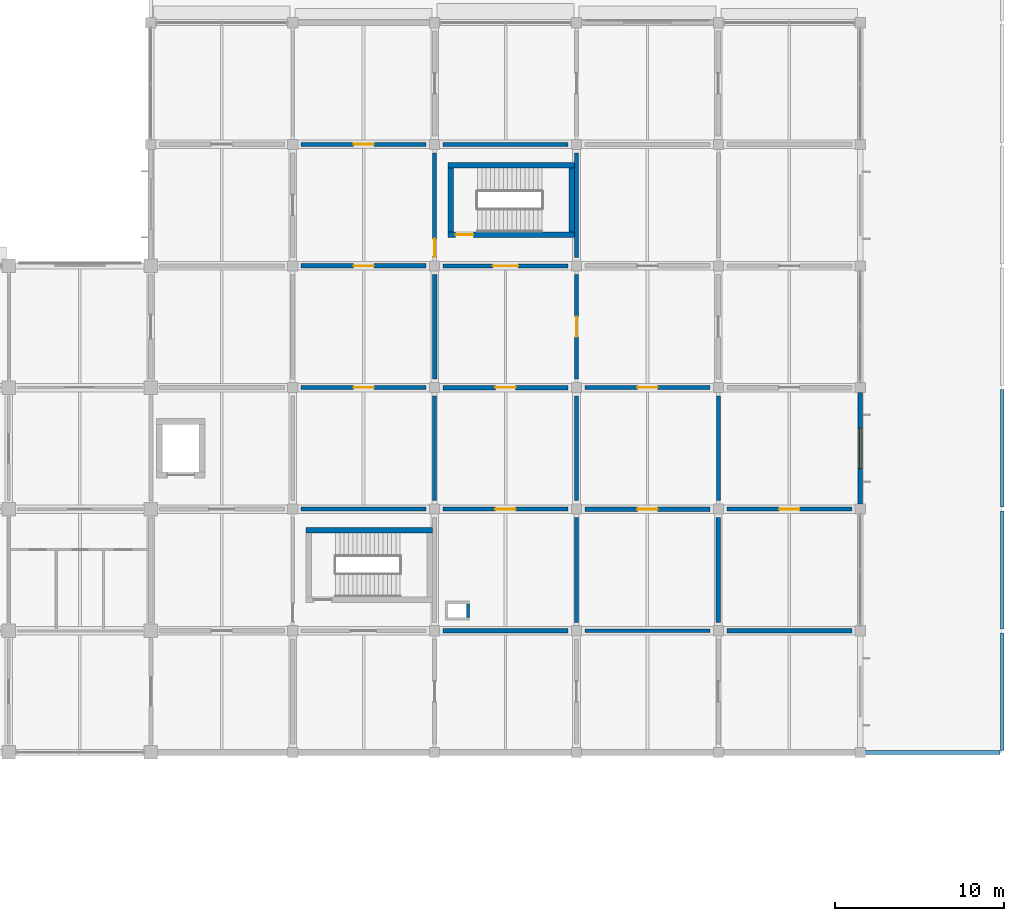
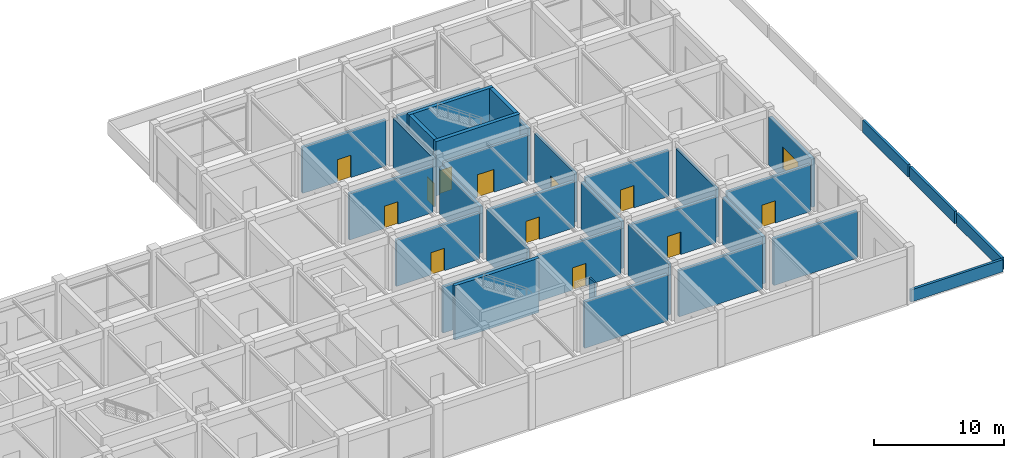
# One storey, part 29 of 38: 34 walls, 12 doors, 1 window, 13 openings.
"""IFC4 building model written with IfcOpenShell, lengths in metres."""

from ifc_helpers import new_model, si_unit, derived_unit, direction, frame, frame_2d, origin, place, context, subcontext, project, spatial, rectangle, extrude, material, layer, layer_set, type_object, element, fill, save


model = new_model("IFC4")

# Units and contexts
model_context = context("Model", 3, precision=1e-05, world=origin(), true_north=direction((0.0, 1.0)))
body_context = subcontext(model_context, "Body", "Model", "MODEL_VIEW")
ifc_project = project(units=[si_unit("LENGTHUNIT", "METRE"), si_unit("AREAUNIT", "SQUARE_METRE"), si_unit("VOLUMEUNIT", "CUBIC_METRE"), si_unit("PLANEANGLEUNIT", "RADIAN"), si_unit("MASSUNIT", "GRAM", prefix="KILO"), derived_unit("THERMALTRANSMITTANCEUNIT", [(si_unit("MASSUNIT", "GRAM", prefix="KILO"), 1), (si_unit("TIMEUNIT", "SECOND"), -3), (si_unit("THERMODYNAMICTEMPERATUREUNIT", "KELVIN"), -1)])], contexts=[model_context])

# Site, building, storey
site_placement = place(None, origin())
site = spatial("IfcSite", under=ifc_project, at=site_placement, CompositionType="ELEMENT")
building_placement = place(site_placement, origin())
building = spatial("IfcBuilding", under=site, at=building_placement, Name="Veldstrom Oceanarium and Marine Research Institute", CompositionType="ELEMENT")
storey_placement = place(building_placement, frame((0.0, 0.0, 11.39990234375)))
storey = spatial("IfcBuildingStorey", under=building, at=storey_placement, Name="L02", CompositionType="ELEMENT", Elevation=11.39990234375)

# Wall, opening, window
ifc_material_1 = material(Name="Masonry Cavity Wall", Category="masonry")
ifc_layer_1 = layer(ifc_material_1, 0.2900390625)
ifc_layer_set_1 = layer_set([ifc_layer_1], Name="ARC-WAL-EW2")
wall_type_1 = type_object("IfcWallType", Name="ARC-WAL-EW2", PredefinedType="SOLIDWALL", material=ifc_layer_set_1)
wall_1_placement = place(storey_placement, frame((159.60009765625, 57.89990234375, 0.0), z_axis=(0.0, 0.0, 1.0), x_axis=(0.0, 1.0, 0.0)))
wall_1 = element("IfcWall", 1, at=wall_1_placement, inside=storey, type_object=wall_type_1, Name="Exterior Facade Wall EW2 L02-147", PredefinedType="SOLIDWALL", context=body_context, shape_type="SweptSolid", body=[
    extrude(rectangle(XDim=6.60009765625, YDim=0.2900390625, at=frame_2d((3.300048828125, 0.0))), origin(), (0.0, 0.0, 1.0), 4.52001953125),
])
opening_1_placement = place(wall_1_placement, frame((2.10009765625, 0.0, 0.89990234375)))
opening_1 = element("IfcOpeningElement", 2, at=opening_1_placement, cuts=wall_1, Name="Opening W09", PredefinedType="OPENING", context=body_context, shape_type="SweptSolid", body=[
    extrude(rectangle(XDim=2.39990234375, YDim=2.10009765625, at=frame_2d((1.199951171875, 1.050048828125))), frame((0.0, 0.155029296875, 0.0), z_axis=(0.0, -1.0, 0.0), x_axis=(1.0, 0.0, 0.0)), (0.0, 0.0, 1.0), 0.31005859375),
])
ifc_material_2 = material(Name="Double Glazed Low-E IGU", Category="glass")
window_type = type_object("IfcWindowType", Name="ARC-WIN-W09", PartitioningType="SINGLE_PANEL", PredefinedType="WINDOW", material=ifc_material_2)
window_placement = place(opening_1_placement, origin())
window = element("IfcWindow", 3, at=window_placement, inside=storey, type_object=window_type, Name="Facade Window W09 L02-0107", OverallHeight=2.10009765625, OverallWidth=2.39990234375, PartitioningType="SINGLE_PANEL", PredefinedType="WINDOW", context=body_context, shape_type="SweptSolid", body=[
    extrude(rectangle(XDim=2.39990234375, YDim=2.10009765625, at=frame_2d((1.199951171875, 1.050048828125))), frame((0.0, 0.030029296875, 0.0), z_axis=(0.0, -1.0, 0.0), x_axis=(1.0, 0.0, 0.0)), (0.0, 0.0, 1.0), 0.06005859375),
])
fill(opening_1, window)

# Walls
ifc_material_3 = material(Name="Masonry Cavity Wall", Category="masonry")
ifc_layer_2 = layer(ifc_material_3, 0.219970703125)
ifc_layer_set_2 = layer_set([ifc_layer_2], Name="ARC-WAL-PR1")
wall_type_2 = type_object("IfcWallType", Name="ARC-WAL-PR1", PredefinedType="PARAPET", material=ifc_layer_set_2)
wall_2_placement = place(storey_placement, frame((159.719970703125, 43.199951171875, 0.0), z_axis=(0.0, 0.0, 1.0), x_axis=(1.0, 0.0, 0.0)))
element("IfcWall", 4, at=wall_2_placement, inside=storey, type_object=wall_type_2, Name="Roof Parapet Wall L01-038", PredefinedType="PARAPET", context=body_context, shape_type="SweptSolid", body=[
    extrude(rectangle(XDim=8.159912109375, YDim=0.219970703125, at=frame_2d((4.080078125, 0.0))), origin(), (0.0, 0.0, 1.0), 1.150146484375),
])
for number, where, z_axis, x_axis, name in (
    (5, (168.0, 43.320068359375, 0.0), (0.0, 0.0, 1.0), (0.0, 1.0, 0.0), "Roof Parapet Wall L01-039"),
    (6, (168.0, 50.52001953125, 0.0), (0.0, 0.0, 1.0), (0.0, 1.0, 0.0), "Roof Parapet Wall L01-040"),
    (7, (168.0, 57.719970703125, 0.0), (0.0, 0.0, 1.0), (0.0, 1.0, 0.0), "Roof Parapet Wall L01-041"),
):
    element("IfcWall", number, at=place(storey_placement, frame(where, z_axis=z_axis, x_axis=x_axis)), inside=storey, type_object=wall_type_2, Name=name, PredefinedType="PARAPET", context=body_context, shape_type="SweptSolid", body=[
        extrude(rectangle(XDim=6.9599609375, YDim=0.219970703125, at=frame_2d((3.47998046875, 0.0))), origin(), (0.0, 0.0, 1.0), 1.150146484375),
    ])
ifc_material_4 = material(Name="Masonry Fire Compartment Wall", Category="masonry")
ifc_layer_3 = layer(ifc_material_4, 0.22998046875)
ifc_layer_set_3 = layer_set([ifc_layer_3], Name="ARC-WAL-PT1")
wall_type_3 = type_object("IfcWallType", Name="ARC-WAL-PT1", PredefinedType="PARTITIONING", material=ifc_layer_set_3)
wall_3_placement = place(storey_placement, frame((126.5, 57.60009765625, 0.0), z_axis=(0.0, 0.0, 1.0), x_axis=(1.0, 0.0, 0.0)))
element("IfcWall", 8, at=wall_3_placement, inside=storey, type_object=wall_type_3, Name="Interior Partition PT1 L02-1214", PredefinedType="PARTITIONING", context=body_context, shape_type="SweptSolid", body=[
    extrude(rectangle(XDim=7.39990234375, YDim=0.22998046875, at=frame_2d((3.699951171875, 0.0))), origin(), (0.0, 0.0, 1.0), 4.34521484375),
])
wall_4_placement = place(storey_placement, frame((134.39990234375, 58.10009765625, 0.0), z_axis=(0.0, 0.0, 1.0), x_axis=(0.0, 1.0, 0.0)))
element("IfcWall", 9, at=wall_4_placement, inside=storey, type_object=wall_type_3, Name="Interior Partition PT1 L02-1215", PredefinedType="PARTITIONING", context=body_context, shape_type="SweptSolid", body=[
    extrude(rectangle(XDim=6.199951171875, YDim=0.22998046875, at=frame_2d((3.10009765625, 0.0))), origin(), (0.0, 0.0, 1.0), 4.80517578125),
])

# Wall, opening, door
wall_5_placement = place(storey_placement, frame((126.5, 64.800048828125, 0.0), z_axis=(0.0, 0.0, 1.0), x_axis=(1.0, 0.0, 0.0)))
wall_5 = element("IfcWall", 10, at=wall_5_placement, inside=storey, type_object=wall_type_3, Name="Interior Partition PT1 L02-1216", PredefinedType="PARTITIONING", context=body_context, shape_type="SweptSolid", body=[
    extrude(rectangle(XDim=7.39990234375, YDim=0.22998046875, at=frame_2d((3.699951171875, 0.0))), origin(), (0.0, 0.0, 1.0), 4.34521484375),
])
opening_2_placement = place(wall_5_placement, frame((3.10009765625, 0.0, 0.0)))
opening_2 = element("IfcOpeningElement", 11, at=opening_2_placement, cuts=wall_5, Name="Opening D-L02-709", PredefinedType="OPENING", context=body_context, shape_type="SweptSolid", body=[
    extrude(rectangle(XDim=1.199951171875, YDim=2.10009765625, at=frame_2d((0.60009765625, 1.050048828125))), frame((0.0, 0.125, 0.0), z_axis=(0.0, -1.0, 0.0), x_axis=(1.0, 0.0, 0.0)), (0.0, 0.0, 1.0), 0.25),
])
ifc_material_5 = material(Name="Quarantine Biosecure Door", Category="steel")
door_type_1 = type_object("IfcDoorType", Name="ARC-DOR-ID06", OperationType="SINGLE_SWING_RIGHT", PredefinedType="DOOR", material=ifc_material_5)
door_1_placement = place(opening_2_placement, frame((1.199951171875, 0.0, 0.0), z_axis=(0.0, 0.0, 1.0), x_axis=(-1.0, 0.0, 0.0)))
door_1 = element("IfcDoor", 12, at=door_1_placement, inside=storey, type_object=door_type_1, Name="Interior Door D-L02-709", OperationType="SINGLE_SWING_LEFT", OverallHeight=2.10009765625, OverallWidth=1.199951171875, PredefinedType="DOOR", context=body_context, shape_type="SweptSolid", body=[
    extrude(rectangle(XDim=1.199951171875, YDim=2.10009765625, at=frame_2d((0.60009765625, 1.050048828125))), frame((0.0, 0.02490234375, 0.0), z_axis=(0.0, -1.0, 0.0), x_axis=(1.0, 0.0, 0.0)), (0.0, 0.0, 1.0), 0.050048828125),
])
fill(opening_2, door_1)

wall_6_placement = place(storey_placement, frame((134.39990234375, 72.5, 0.0), z_axis=(0.0, 0.0, 1.0), x_axis=(0.0, 1.0, 0.0)))
wall_6 = element("IfcWall", 13, at=wall_6_placement, inside=storey, type_object=wall_type_3, Name="Interior Partition PT1 L02-1219", PredefinedType="PARTITIONING", context=body_context, shape_type="SweptSolid", body=[
    extrude(rectangle(XDim=6.199951171875, YDim=0.22998046875, at=frame_2d((3.10009765625, 0.0))), origin(), (0.0, 0.0, 1.0), 4.59521484375),
])
opening_3_placement = place(wall_6_placement, frame((0.050048828125, 0.0, 0.0)))
opening_3 = element("IfcOpeningElement", 14, at=opening_3_placement, cuts=wall_6, Name="Opening D-L02-711", PredefinedType="OPENING", context=body_context, shape_type="SweptSolid", body=[
    extrude(rectangle(XDim=1.050048828125, YDim=2.14990234375, at=frame_2d((0.52490234375, 1.074951171875))), frame((0.0, 0.125, 0.0), z_axis=(0.0, -1.0, 0.0), x_axis=(1.0, 0.0, 0.0)), (0.0, 0.0, 1.0), 0.25),
])
ifc_material_6 = material(Name="Painted Steel Fire Door", Category="steel")
door_type_2 = type_object("IfcDoorType", Name="ARC-DOR-SD1", OperationType="SINGLE_SWING_LEFT", PredefinedType="DOOR", material=ifc_material_6)
door_2_placement = place(opening_3_placement, origin())
door_2 = element("IfcDoor", 15, at=door_2_placement, inside=storey, type_object=door_type_2, Name="Interior Door D-L02-711", OperationType="SINGLE_SWING_LEFT", OverallHeight=2.14990234375, OverallWidth=1.050048828125, PredefinedType="DOOR", context=body_context, shape_type="SweptSolid", body=[
    extrude(rectangle(XDim=1.050048828125, YDim=2.14990234375, at=frame_2d((0.52490234375, 1.074951171875))), frame((0.0, 0.02490234375, 0.0), z_axis=(0.0, -1.0, 0.0), x_axis=(1.0, 0.0, 0.0)), (0.0, 0.0, 1.0), 0.050048828125),
])
fill(opening_3, door_2)

wall_7_placement = place(storey_placement, frame((126.5, 79.199951171875, 0.0), z_axis=(0.0, 0.0, 1.0), x_axis=(1.0, 0.0, 0.0)))
wall_7 = element("IfcWall", 16, at=wall_7_placement, inside=storey, type_object=wall_type_3, Name="Interior Partition PT1 L02-1220", PredefinedType="PARTITIONING", context=body_context, shape_type="SweptSolid", body=[
    extrude(rectangle(XDim=7.39990234375, YDim=0.22998046875, at=frame_2d((3.699951171875, 0.0))), origin(), (0.0, 0.0, 1.0), 4.34521484375),
])
opening_4_placement = place(wall_7_placement, frame((3.10009765625, 0.0, 0.0)))
opening_4 = element("IfcOpeningElement", 17, at=opening_4_placement, cuts=wall_7, Name="Opening D-L02-712", PredefinedType="OPENING", context=body_context, shape_type="SweptSolid", body=[
    extrude(rectangle(XDim=1.199951171875, YDim=2.10009765625, at=frame_2d((0.60009765625, 1.050048828125))), frame((0.0, 0.125, 0.0), z_axis=(0.0, -1.0, 0.0), x_axis=(1.0, 0.0, 0.0)), (0.0, 0.0, 1.0), 0.25),
])
door_3_placement = place(opening_4_placement, frame((1.199951171875, 0.0, 0.0), z_axis=(0.0, 0.0, 1.0), x_axis=(-1.0, 0.0, 0.0)))
door_3 = element("IfcDoor", 18, at=door_3_placement, inside=storey, type_object=door_type_1, Name="Interior Door D-L02-712", OperationType="SINGLE_SWING_LEFT", OverallHeight=2.10009765625, OverallWidth=1.199951171875, PredefinedType="DOOR", context=body_context, shape_type="SweptSolid", body=[
    extrude(rectangle(XDim=1.199951171875, YDim=2.10009765625, at=frame_2d((0.60009765625, 1.050048828125))), frame((0.0, 0.02490234375, 0.0), z_axis=(0.0, -1.0, 0.0), x_axis=(1.0, 0.0, 0.0)), (0.0, 0.0, 1.0), 0.050048828125),
])
fill(opening_4, door_3)

# Wall
wall_8_placement = place(storey_placement, frame((142.800048828125, 50.89990234375, 0.0), z_axis=(0.0, 0.0, 1.0), x_axis=(0.0, 1.0, 0.0)))
element("IfcWall", 19, at=wall_8_placement, inside=storey, type_object=wall_type_3, Name="Interior Partition PT1 L02-1224", PredefinedType="PARTITIONING", context=body_context, shape_type="SweptSolid", body=[
    extrude(rectangle(XDim=6.2001953125, YDim=0.22998046875, at=frame_2d((3.10009765625, 0.0))), origin(), (0.0, 0.0, 1.0), 4.80517578125),
])

# Wall, opening, door
wall_9_placement = place(storey_placement, frame((134.89990234375, 57.60009765625, 0.0), z_axis=(0.0, 0.0, 1.0), x_axis=(1.0, 0.0, 0.0)))
wall_9 = element("IfcWall", 20, at=wall_9_placement, inside=storey, type_object=wall_type_3, Name="Interior Partition PT1 L02-1225", PredefinedType="PARTITIONING", context=body_context, shape_type="SweptSolid", body=[
    extrude(rectangle(XDim=7.400146484375, YDim=0.22998046875, at=frame_2d((3.7001953125, 0.0))), origin(), (0.0, 0.0, 1.0), 4.34521484375),
])
opening_5_placement = place(wall_9_placement, frame((3.10009765625, 0.0, 0.0)))
opening_5 = element("IfcOpeningElement", 21, at=opening_5_placement, cuts=wall_9, Name="Opening D-L02-715", PredefinedType="OPENING", context=body_context, shape_type="SweptSolid", body=[
    extrude(rectangle(XDim=1.199951171875, YDim=2.10009765625, at=frame_2d((0.60009765625, 1.050048828125))), frame((0.0, 0.125, 0.0), z_axis=(0.0, -1.0, 0.0), x_axis=(1.0, 0.0, 0.0)), (0.0, 0.0, 1.0), 0.25),
])
door_4_placement = place(opening_5_placement, frame((1.199951171875, 0.0, 0.0), z_axis=(0.0, 0.0, 1.0), x_axis=(-1.0, 0.0, 0.0)))
door_4 = element("IfcDoor", 22, at=door_4_placement, inside=storey, type_object=door_type_1, Name="Interior Door D-L02-715", OperationType="SINGLE_SWING_LEFT", OverallHeight=2.10009765625, OverallWidth=1.199951171875, PredefinedType="DOOR", context=body_context, shape_type="SweptSolid", body=[
    extrude(rectangle(XDim=1.199951171875, YDim=2.10009765625, at=frame_2d((0.60009765625, 1.050048828125))), frame((0.0, 0.02490234375, 0.0), z_axis=(0.0, -1.0, 0.0), x_axis=(1.0, 0.0, 0.0)), (0.0, 0.0, 1.0), 0.050048828125),
])
fill(opening_5, door_4)

wall_10_placement = place(storey_placement, frame((142.800048828125, 65.300048828125, 0.0), z_axis=(0.0, 0.0, 1.0), x_axis=(0.0, 1.0, 0.0)))
wall_10 = element("IfcWall", 23, at=wall_10_placement, inside=storey, type_object=wall_type_3, Name="Interior Partition PT1 L02-1228", PredefinedType="PARTITIONING", context=body_context, shape_type="SweptSolid", body=[
    extrude(rectangle(XDim=6.199951171875, YDim=0.22998046875, at=frame_2d((3.10009765625, 0.0))), origin(), (0.0, 0.0, 1.0), 4.59521484375),
])
opening_6_placement = place(wall_10_placement, frame((2.5, 0.0, 0.0)))
opening_6 = element("IfcOpeningElement", 24, at=opening_6_placement, cuts=wall_10, Name="Opening D-L02-717", PredefinedType="OPENING", context=body_context, shape_type="SweptSolid", body=[
    extrude(rectangle(XDim=1.199951171875, YDim=2.10009765625, at=frame_2d((0.60009765625, 1.050048828125))), frame((0.0, 0.125, 0.0), z_axis=(0.0, -1.0, 0.0), x_axis=(1.0, 0.0, 0.0)), (0.0, 0.0, 1.0), 0.25),
])
door_5_placement = place(opening_6_placement, origin())
door_5 = element("IfcDoor", 25, at=door_5_placement, inside=storey, type_object=door_type_1, Name="Interior Door D-L02-717", OperationType="SINGLE_SWING_RIGHT", OverallHeight=2.10009765625, OverallWidth=1.199951171875, PredefinedType="DOOR", context=body_context, shape_type="SweptSolid", body=[
    extrude(rectangle(XDim=1.199951171875, YDim=2.10009765625, at=frame_2d((0.60009765625, 1.050048828125))), frame((0.0, 0.02490234375, 0.0), z_axis=(0.0, -1.0, 0.0), x_axis=(1.0, 0.0, 0.0)), (0.0, 0.0, 1.0), 0.050048828125),
])
fill(opening_6, door_5)

wall_11_placement = place(storey_placement, frame((134.89990234375, 72.0, 0.0), z_axis=(0.0, 0.0, 1.0), x_axis=(1.0, 0.0, 0.0)))
wall_11 = element("IfcWall", 26, at=wall_11_placement, inside=storey, type_object=wall_type_3, Name="Interior Partition PT1 L02-1229", PredefinedType="PARTITIONING", context=body_context, shape_type="SweptSolid", body=[
    extrude(rectangle(XDim=7.400146484375, YDim=0.22998046875, at=frame_2d((3.7001953125, 0.0))), origin(), (0.0, 0.0, 1.0), 4.34521484375),
])
opening_7_placement = place(wall_11_placement, frame((2.949951171875, 0.0, 0.0)))
opening_7 = element("IfcOpeningElement", 27, at=opening_7_placement, cuts=wall_11, Name="Opening D-L02-718", PredefinedType="OPENING", context=body_context, shape_type="SweptSolid", body=[
    extrude(rectangle(XDim=1.5, YDim=2.14990234375, at=frame_2d((0.75, 1.074951171875))), frame((0.0, 0.125, 0.0), z_axis=(0.0, -1.0, 0.0), x_axis=(1.0, 0.0, 0.0)), (0.0, 0.0, 1.0), 0.25),
])
ifc_material_7 = material(Name="Painted Steel Lobby Fire Door", Category="steel")
door_type_3 = type_object("IfcDoorType", Name="ARC-DOR-SD2", OperationType="DOUBLE_DOOR_SINGLE_SWING", PredefinedType="DOOR", material=ifc_material_7)
door_6_placement = place(opening_7_placement, frame((1.5, 0.0, 0.0), z_axis=(0.0, 0.0, 1.0), x_axis=(-1.0, 0.0, 0.0)))
door_6 = element("IfcDoor", 28, at=door_6_placement, inside=storey, type_object=door_type_3, Name="Interior Door D-L02-718", OperationType="DOUBLE_DOOR_SINGLE_SWING", OverallHeight=2.14990234375, OverallWidth=1.5, PredefinedType="DOOR", context=body_context, shape_type="SweptSolid", body=[
    extrude(rectangle(XDim=1.5, YDim=2.14990234375, at=frame_2d((0.75, 1.074951171875))), frame((0.0, 0.02490234375, 0.0), z_axis=(0.0, -1.0, 0.0), x_axis=(1.0, 0.0, 0.0)), (0.0, 0.0, 1.0), 0.050048828125),
])
fill(opening_7, door_6)

# Walls
wall_12_placement = place(storey_placement, frame((142.800048828125, 72.5, 0.0), z_axis=(0.0, 0.0, 1.0), x_axis=(0.0, 1.0, 0.0)))
element("IfcWall", 29, at=wall_12_placement, inside=storey, type_object=wall_type_3, Name="Interior Partition PT1 L02-1230", PredefinedType="PARTITIONING", context=body_context, shape_type="SweptSolid", body=[
    extrude(rectangle(XDim=6.199951171875, YDim=0.22998046875, at=frame_2d((3.10009765625, 0.0))), origin(), (0.0, 0.0, 1.0), 4.39501953125),
])
wall_13_placement = place(storey_placement, frame((134.89990234375, 79.199951171875, 0.0), z_axis=(0.0, 0.0, 1.0), x_axis=(1.0, 0.0, 0.0)))
element("IfcWall", 30, at=wall_13_placement, inside=storey, type_object=wall_type_3, Name="Interior Partition PT1 L02-1231", PredefinedType="PARTITIONING", context=body_context, shape_type="SweptSolid", body=[
    extrude(rectangle(XDim=7.400146484375, YDim=0.22998046875, at=frame_2d((3.7001953125, 0.0))), origin(), (0.0, 0.0, 1.0), 4.34521484375),
])
wall_14_placement = place(storey_placement, frame((143.300048828125, 50.39990234375, 0.0), z_axis=(0.0, 0.0, 1.0), x_axis=(1.0, 0.0, 0.0)))
element("IfcWall", 31, at=wall_14_placement, inside=storey, type_object=wall_type_3, Name="Interior Partition PT1 L02-1234", PredefinedType="PARTITIONING", context=body_context, shape_type="SweptSolid", body=[
    extrude(rectangle(XDim=7.39990234375, YDim=0.22998046875, at=frame_2d((3.699951171875, 0.0))), origin(), (0.0, 0.0, 1.0), 4.34521484375),
])
wall_15_placement = place(storey_placement, frame((151.199951171875, 58.10009765625, 0.0), z_axis=(0.0, 0.0, 1.0), x_axis=(0.0, 1.0, 0.0)))
element("IfcWall", 32, at=wall_15_placement, inside=storey, type_object=wall_type_3, Name="Interior Partition PT1 L02-1237", PredefinedType="PARTITIONING", context=body_context, shape_type="SweptSolid", body=[
    extrude(rectangle(XDim=6.199951171875, YDim=0.22998046875, at=frame_2d((3.10009765625, 0.0))), origin(), (0.0, 0.0, 1.0), 4.59521484375),
])

# Wall, opening, door
wall_16_placement = place(storey_placement, frame((143.300048828125, 64.800048828125, 0.0), z_axis=(0.0, 0.0, 1.0), x_axis=(1.0, 0.0, 0.0)))
wall_16 = element("IfcWall", 33, at=wall_16_placement, inside=storey, type_object=wall_type_3, Name="Interior Partition PT1 L02-1238", PredefinedType="PARTITIONING", context=body_context, shape_type="SweptSolid", body=[
    extrude(rectangle(XDim=7.39990234375, YDim=0.22998046875, at=frame_2d((3.699951171875, 0.0))), origin(), (0.0, 0.0, 1.0), 4.34521484375),
])
opening_8_placement = place(wall_16_placement, frame((3.10009765625, 0.0, 0.0)))
opening_8 = element("IfcOpeningElement", 34, at=opening_8_placement, cuts=wall_16, Name="Opening D-L02-722", PredefinedType="OPENING", context=body_context, shape_type="SweptSolid", body=[
    extrude(rectangle(XDim=1.199951171875, YDim=2.10009765625, at=frame_2d((0.60009765625, 1.050048828125))), frame((0.0, 0.125, 0.0), z_axis=(0.0, -1.0, 0.0), x_axis=(1.0, 0.0, 0.0)), (0.0, 0.0, 1.0), 0.25),
])
door_7_placement = place(opening_8_placement, frame((1.199951171875, 0.0, 0.0), z_axis=(0.0, 0.0, 1.0), x_axis=(-1.0, 0.0, 0.0)))
door_7 = element("IfcDoor", 35, at=door_7_placement, inside=storey, type_object=door_type_1, Name="Interior Door D-L02-722", OperationType="SINGLE_SWING_LEFT", OverallHeight=2.10009765625, OverallWidth=1.199951171875, PredefinedType="DOOR", context=body_context, shape_type="SweptSolid", body=[
    extrude(rectangle(XDim=1.199951171875, YDim=2.10009765625, at=frame_2d((0.60009765625, 1.050048828125))), frame((0.0, 0.02490234375, 0.0), z_axis=(0.0, -1.0, 0.0), x_axis=(1.0, 0.0, 0.0)), (0.0, 0.0, 1.0), 0.050048828125),
])
fill(opening_8, door_7)

wall_17_placement = place(storey_placement, frame((151.699951171875, 57.60009765625, 0.0), z_axis=(0.0, 0.0, 1.0), x_axis=(1.0, 0.0, 0.0)))
wall_17 = element("IfcWall", 36, at=wall_17_placement, inside=storey, type_object=wall_type_3, Name="Interior Partition PT1 L02-1245", PredefinedType="PARTITIONING", context=body_context, shape_type="SweptSolid", body=[
    extrude(rectangle(XDim=7.400146484375, YDim=0.22998046875, at=frame_2d((3.7001953125, 0.0))), origin(), (0.0, 0.0, 1.0), 4.420166015625),
])
opening_9_placement = place(wall_17_placement, frame((3.10009765625, 0.0, 0.0)))
opening_9 = element("IfcOpeningElement", 37, at=opening_9_placement, cuts=wall_17, Name="Opening D-L02-726", PredefinedType="OPENING", context=body_context, shape_type="SweptSolid", body=[
    extrude(rectangle(XDim=1.199951171875, YDim=2.10009765625, at=frame_2d((0.60009765625, 1.050048828125))), frame((0.0, 0.125, 0.0), z_axis=(0.0, -1.0, 0.0), x_axis=(1.0, 0.0, 0.0)), (0.0, 0.0, 1.0), 0.25),
])
door_8_placement = place(opening_9_placement, frame((1.199951171875, 0.0, 0.0), z_axis=(0.0, 0.0, 1.0), x_axis=(-1.0, 0.0, 0.0)))
door_8 = element("IfcDoor", 38, at=door_8_placement, inside=storey, type_object=door_type_1, Name="Interior Door D-L02-726", OperationType="SINGLE_SWING_LEFT", OverallHeight=2.10009765625, OverallWidth=1.199951171875, PredefinedType="DOOR", context=body_context, shape_type="SweptSolid", body=[
    extrude(rectangle(XDim=1.199951171875, YDim=2.10009765625, at=frame_2d((0.60009765625, 1.050048828125))), frame((0.0, 0.02490234375, 0.0), z_axis=(0.0, -1.0, 0.0), x_axis=(1.0, 0.0, 0.0)), (0.0, 0.0, 1.0), 0.050048828125),
])
fill(opening_9, door_8)

# Wall
ifc_material_8 = material(Name="Plant Acoustic Masonry Wall", Category="masonry")
ifc_layer_4 = layer(ifc_material_8, 0.260009765625)
ifc_layer_set_4 = layer_set([ifc_layer_4], Name="ARC-WAL-PT8")
wall_type_4 = type_object("IfcWallType", Name="ARC-WAL-PT8", PredefinedType="PARTITIONING", material=ifc_layer_set_4)
wall_18_placement = place(storey_placement, frame((134.39990234375, 65.300048828125, 0.0), z_axis=(0.0, 0.0, 1.0), x_axis=(0.0, 1.0, 0.0)))
element("IfcWall", 39, at=wall_18_placement, inside=storey, type_object=wall_type_4, Name="Interior Partition PT8 L02-1217", PredefinedType="PARTITIONING", context=body_context, shape_type="SweptSolid", body=[
    extrude(rectangle(XDim=6.199951171875, YDim=0.260009765625, at=frame_2d((3.10009765625, 0.0))), origin(), (0.0, 0.0, 1.0), 4.39501953125),
])

# Wall, opening, door
wall_19_placement = place(storey_placement, frame((126.5, 72.0, 0.0), z_axis=(0.0, 0.0, 1.0), x_axis=(1.0, 0.0, 0.0)))
wall_19 = element("IfcWall", 40, at=wall_19_placement, inside=storey, type_object=wall_type_4, Name="Interior Partition PT8 L02-1218", PredefinedType="PARTITIONING", context=body_context, shape_type="SweptSolid", body=[
    extrude(rectangle(XDim=7.39990234375, YDim=0.260009765625, at=frame_2d((3.699951171875, 0.0))), origin(), (0.0, 0.0, 1.0), 4.34521484375),
])
opening_10_placement = place(wall_19_placement, frame((3.10009765625, 0.0, 0.0)))
opening_10 = element("IfcOpeningElement", 41, at=opening_10_placement, cuts=wall_19, Name="Opening D-L02-710", PredefinedType="OPENING", context=body_context, shape_type="SweptSolid", body=[
    extrude(rectangle(XDim=1.199951171875, YDim=2.10009765625, at=frame_2d((0.60009765625, 1.050048828125))), frame((0.0, 0.139892578125, 0.0), z_axis=(0.0, -1.0, 0.0), x_axis=(1.0, 0.0, 0.0)), (0.0, 0.0, 1.0), 0.280029296875),
])
door_9_placement = place(opening_10_placement, origin())
door_9 = element("IfcDoor", 42, at=door_9_placement, inside=storey, type_object=door_type_1, Name="Interior Door D-L02-710", OperationType="SINGLE_SWING_LEFT", OverallHeight=2.10009765625, OverallWidth=1.199951171875, PredefinedType="DOOR", context=body_context, shape_type="SweptSolid", body=[
    extrude(rectangle(XDim=1.199951171875, YDim=2.10009765625, at=frame_2d((0.60009765625, 1.050048828125))), frame((0.0, 0.02490234375, 0.0), z_axis=(0.0, -1.0, 0.0), x_axis=(1.0, 0.0, 0.0)), (0.0, 0.0, 1.0), 0.050048828125),
])
fill(opening_10, door_9)

# Walls
wall_20_placement = place(storey_placement, frame((134.89990234375, 50.39990234375, 0.0), z_axis=(0.0, 0.0, 1.0), x_axis=(1.0, 0.0, 0.0)))
element("IfcWall", 43, at=wall_20_placement, inside=storey, type_object=wall_type_4, Name="Interior Partition PT8 L02-1223", PredefinedType="PARTITIONING", context=body_context, shape_type="SweptSolid", body=[
    extrude(rectangle(XDim=7.400146484375, YDim=0.260009765625, at=frame_2d((3.7001953125, 0.0))), origin(), (0.0, 0.0, 1.0), 4.34521484375),
])
wall_21_placement = place(storey_placement, frame((142.800048828125, 58.10009765625, 0.0), z_axis=(0.0, 0.0, 1.0), x_axis=(0.0, 1.0, 0.0)))
element("IfcWall", 44, at=wall_21_placement, inside=storey, type_object=wall_type_4, Name="Interior Partition PT8 L02-1226", PredefinedType="PARTITIONING", context=body_context, shape_type="SweptSolid", body=[
    extrude(rectangle(XDim=6.199951171875, YDim=0.260009765625, at=frame_2d((3.10009765625, 0.0))), origin(), (0.0, 0.0, 1.0), 4.39501953125),
])

# Wall, opening, door
wall_22_placement = place(storey_placement, frame((134.89990234375, 64.800048828125, 0.0), z_axis=(0.0, 0.0, 1.0), x_axis=(1.0, 0.0, 0.0)))
wall_22 = element("IfcWall", 45, at=wall_22_placement, inside=storey, type_object=wall_type_4, Name="Interior Partition PT8 L02-1227", PredefinedType="PARTITIONING", context=body_context, shape_type="SweptSolid", body=[
    extrude(rectangle(XDim=7.400146484375, YDim=0.260009765625, at=frame_2d((3.7001953125, 0.0))), origin(), (0.0, 0.0, 1.0), 4.34521484375),
])
opening_11_placement = place(wall_22_placement, frame((3.10009765625, 0.0, 0.0)))
opening_11 = element("IfcOpeningElement", 46, at=opening_11_placement, cuts=wall_22, Name="Opening D-L02-716", PredefinedType="OPENING", context=body_context, shape_type="SweptSolid", body=[
    extrude(rectangle(XDim=1.199951171875, YDim=2.10009765625, at=frame_2d((0.60009765625, 1.050048828125))), frame((0.0, 0.139892578125, 0.0), z_axis=(0.0, -1.0, 0.0), x_axis=(1.0, 0.0, 0.0)), (0.0, 0.0, 1.0), 0.280029296875),
])
door_10_placement = place(opening_11_placement, origin())
door_10 = element("IfcDoor", 47, at=door_10_placement, inside=storey, type_object=door_type_1, Name="Interior Door D-L02-716", OperationType="SINGLE_SWING_LEFT", OverallHeight=2.10009765625, OverallWidth=1.199951171875, PredefinedType="DOOR", context=body_context, shape_type="SweptSolid", body=[
    extrude(rectangle(XDim=1.199951171875, YDim=2.10009765625, at=frame_2d((0.60009765625, 1.050048828125))), frame((0.0, 0.02490234375, 0.0), z_axis=(0.0, -1.0, 0.0), x_axis=(1.0, 0.0, 0.0)), (0.0, 0.0, 1.0), 0.050048828125),
])
fill(opening_11, door_10)

# Wall
wall_23_placement = place(storey_placement, frame((151.199951171875, 50.89990234375, 0.0), z_axis=(0.0, 0.0, 1.0), x_axis=(0.0, 1.0, 0.0)))
element("IfcWall", 48, at=wall_23_placement, inside=storey, type_object=wall_type_4, Name="Interior Partition PT8 L02-1235", PredefinedType="PARTITIONING", context=body_context, shape_type="SweptSolid", body=[
    extrude(rectangle(XDim=6.2001953125, YDim=0.260009765625, at=frame_2d((3.10009765625, 0.0))), origin(), (0.0, 0.0, 1.0), 4.39501953125),
])

# Wall, opening, door
wall_24_placement = place(storey_placement, frame((143.300048828125, 57.60009765625, 0.0), z_axis=(0.0, 0.0, 1.0), x_axis=(1.0, 0.0, 0.0)))
wall_24 = element("IfcWall", 49, at=wall_24_placement, inside=storey, type_object=wall_type_4, Name="Interior Partition PT8 L02-1236", PredefinedType="PARTITIONING", context=body_context, shape_type="SweptSolid", body=[
    extrude(rectangle(XDim=7.39990234375, YDim=0.260009765625, at=frame_2d((3.699951171875, 0.0))), origin(), (0.0, 0.0, 1.0), 4.34521484375),
])
opening_12_placement = place(wall_24_placement, frame((3.10009765625, 0.0, 0.0)))
opening_12 = element("IfcOpeningElement", 50, at=opening_12_placement, cuts=wall_24, Name="Opening D-L02-721", PredefinedType="OPENING", context=body_context, shape_type="SweptSolid", body=[
    extrude(rectangle(XDim=1.199951171875, YDim=2.10009765625, at=frame_2d((0.60009765625, 1.050048828125))), frame((0.0, 0.139892578125, 0.0), z_axis=(0.0, -1.0, 0.0), x_axis=(1.0, 0.0, 0.0)), (0.0, 0.0, 1.0), 0.280029296875),
])
door_11_placement = place(opening_12_placement, origin())
door_11 = element("IfcDoor", 51, at=door_11_placement, inside=storey, type_object=door_type_1, Name="Interior Door D-L02-721", OperationType="SINGLE_SWING_LEFT", OverallHeight=2.10009765625, OverallWidth=1.199951171875, PredefinedType="DOOR", context=body_context, shape_type="SweptSolid", body=[
    extrude(rectangle(XDim=1.199951171875, YDim=2.10009765625, at=frame_2d((0.60009765625, 1.050048828125))), frame((0.0, 0.02490234375, 0.0), z_axis=(0.0, -1.0, 0.0), x_axis=(1.0, 0.0, 0.0)), (0.0, 0.0, 1.0), 0.050048828125),
])
fill(opening_12, door_11)

# Walls
wall_25_placement = place(storey_placement, frame((151.699951171875, 50.39990234375, 0.0), z_axis=(0.0, 0.0, 1.0), x_axis=(1.0, 0.0, 0.0)))
element("IfcWall", 52, at=wall_25_placement, inside=storey, type_object=wall_type_4, Name="Interior Partition PT8 L02-1244", PredefinedType="PARTITIONING", context=body_context, shape_type="SweptSolid", body=[
    extrude(rectangle(XDim=7.400146484375, YDim=0.260009765625, at=frame_2d((3.7001953125, 0.0))), origin(), (0.0, 0.0, 1.0), 4.420166015625),
])
ifc_material_9 = material(Name="Service Riser Fire Shaft Wall", Category="masonry")
ifc_layer_5 = layer(ifc_material_9, 0.1650390625)
ifc_layer_set_5 = layer_set([ifc_layer_5], Name="ARC-WAL-PT9")
wall_type_5 = type_object("IfcWallType", Name="ARC-WAL-PT9", PredefinedType="PARTITIONING", material=ifc_layer_set_5)
wall_26_placement = place(storey_placement, frame((136.382568359375, 51.199951171875, 0.0), z_axis=(0.0, 0.0, 1.0), x_axis=(0.0, 1.0, 0.0)))
element("IfcWall", 53, at=wall_26_placement, inside=storey, type_object=wall_type_5, Name="Service Riser Fire Shaft Wall L02-ES-E", PredefinedType="PARTITIONING", context=body_context, shape_type="SweptSolid", body=[
    extrude(rectangle(XDim=0.800048828125, YDim=0.1650390625, at=frame_2d((0.39990234375, 0.0))), origin(), (0.0, 0.0, 1.0), 5.10009765625),
])
ifc_material_10 = material(Name="Concrete C40/50", Category="concrete")
ifc_layer_6 = layer(ifc_material_10, 0.320068359375)
ifc_layer_set_6 = layer_set([ifc_layer_6], Name="STR-WAL-WC3")
wall_type_6 = type_object("IfcWallType", Name="STR-WAL-WC3", PredefinedType="SHEAR", material=ifc_layer_set_6)
wall_27_placement = place(storey_placement, frame((126.800048828125, 56.360107421875, 0.0), z_axis=(0.0, 0.0, 1.0), x_axis=(1.0, 0.0, 0.0)))
element("IfcWall", 54, at=wall_27_placement, inside=storey, type_object=wall_type_6, Name="Stair Core Shear Wall SC4-L02-N", PredefinedType="SHEAR", context=body_context, shape_type="SweptSolid", body=[
    extrude(rectangle(XDim=7.47998046875, YDim=0.320068359375, at=frame_2d((3.739990234375, 0.0))), origin(), (0.0, 0.0, 1.0), 5.10009765625),
])

# Wall, opening, door
wall_28_placement = place(storey_placement, frame((135.199951171875, 73.840087890625, 0.0), z_axis=(0.0, 0.0, 1.0), x_axis=(1.0, 0.0, 0.0)))
wall_28 = element("IfcWall", 55, at=wall_28_placement, inside=storey, type_object=wall_type_6, Name="Stair Core Shear Wall SC6-L02-S", PredefinedType="SHEAR", context=body_context, shape_type="SweptSolid", body=[
    extrude(rectangle(XDim=7.47998046875, YDim=0.320068359375, at=frame_2d((3.739990234375, 0.0))), origin(), (0.0, 0.0, 1.0), 5.10009765625),
])
opening_13_placement = place(wall_28_placement, frame((0.449951171875, 0.0, 0.0)))
opening_13 = element("IfcOpeningElement", 56, at=opening_13_placement, cuts=wall_28, Name="Opening D-ST6-L02", PredefinedType="OPENING", context=body_context, shape_type="SweptSolid", body=[
    extrude(rectangle(XDim=1.050048828125, YDim=2.14990234375, at=frame_2d((0.52490234375, 1.074951171875))), frame((0.0, 0.169921875, 0.0), z_axis=(0.0, -1.0, 0.0), x_axis=(1.0, 0.0, 0.0)), (0.0, 0.0, 1.0), 0.340087890625),
])
door_12_placement = place(opening_13_placement, origin())
door_12 = element("IfcDoor", 57, at=door_12_placement, inside=storey, type_object=door_type_2, Name="Escape Stair Fire Door D-ST6-L02", OperationType="SINGLE_SWING_LEFT", OverallHeight=2.14990234375, OverallWidth=1.050048828125, PredefinedType="DOOR", context=body_context, shape_type="SweptSolid", body=[
    extrude(rectangle(XDim=1.050048828125, YDim=2.14990234375, at=frame_2d((0.52490234375, 1.074951171875))), frame((0.0, 0.02490234375, 0.0), z_axis=(0.0, -1.0, 0.0), x_axis=(1.0, 0.0, 0.0)), (0.0, 0.0, 1.0), 0.050048828125),
])
fill(opening_13, door_12)

# Walls
wall_29_placement = place(storey_placement, frame((135.199951171875, 77.9599609375, 0.0), z_axis=(0.0, 0.0, 1.0), x_axis=(1.0, 0.0, 0.0)))
element("IfcWall", 58, at=wall_29_placement, inside=storey, type_object=wall_type_6, Name="Stair Core Shear Wall SC6-L02-N", PredefinedType="SHEAR", context=body_context, shape_type="SweptSolid", body=[
    extrude(rectangle(XDim=7.47998046875, YDim=0.320068359375, at=frame_2d((3.739990234375, 0.0))), origin(), (0.0, 0.0, 1.0), 5.10009765625),
])
for number, where, z_axis, x_axis, name in (
    (59, (135.360107421875, 74.0, 0.0), (0.0, 0.0, 1.0), (0.0, 1.0, 0.0), "Stair Core Shear Wall SC6-L02-W"),
    (60, (142.52001953125, 74.0, 0.0), (0.0, 0.0, 1.0), (0.0, 1.0, 0.0), "Stair Core Shear Wall SC6-L02-E"),
):
    element("IfcWall", number, at=place(storey_placement, frame(where, z_axis=z_axis, x_axis=x_axis)), inside=storey, type_object=wall_type_6, Name=name, PredefinedType="SHEAR", context=body_context, shape_type="SweptSolid", body=[
        extrude(rectangle(XDim=3.800048828125, YDim=0.320068359375, at=frame_2d((1.89990234375, 0.0))), origin(), (0.0, 0.0, 1.0), 5.10009765625),
    ])

save(model, "model.ifc")
